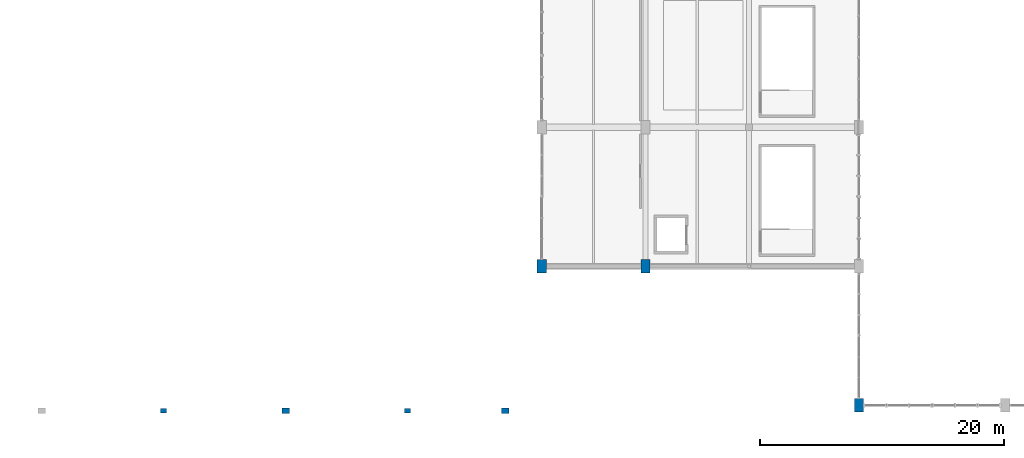
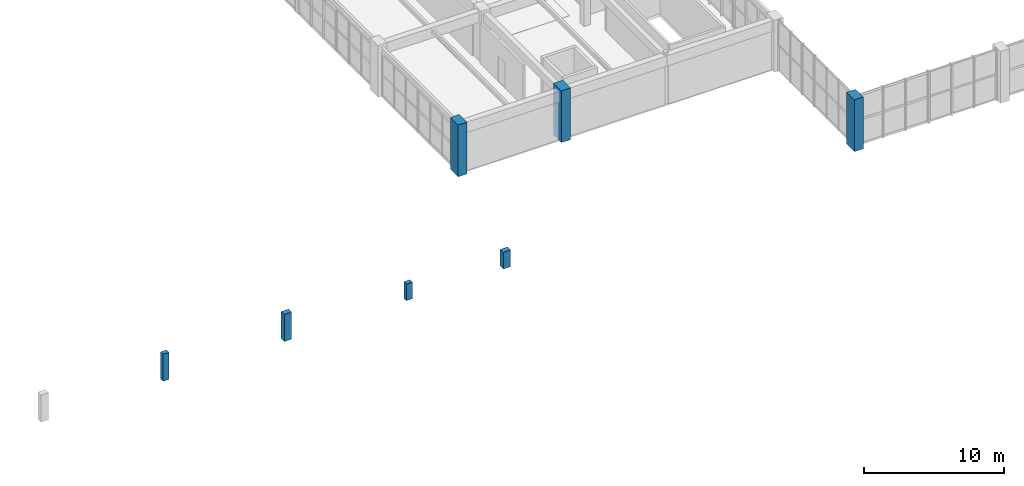
# One storey, part 5 of 80: 7 columns.
"""IFC4 building model written with IfcOpenShell, lengths in metres."""

from ifc_helpers import new_model, si_unit, direction, frame, origin, origin_2d, place, context, subcontext, project, spatial, rectangle, extrude, material, material_profile, profile_set, type_object, element, save


model = new_model("IFC4")

# Units and contexts
model_context = context("Model", 3, precision=1e-05, world=origin(), true_north=direction((0.0, 1.0)))
body_context = subcontext(model_context, "Body", "Model", "MODEL_VIEW")
ifc_project = project(units=[si_unit("LENGTHUNIT", "METRE"), si_unit("AREAUNIT", "SQUARE_METRE"), si_unit("VOLUMEUNIT", "CUBIC_METRE"), si_unit("PLANEANGLEUNIT", "RADIAN"), si_unit("MASSUNIT", "GRAM", prefix="KILO"), si_unit("POWERUNIT", "WATT"), si_unit("THERMODYNAMICTEMPERATUREUNIT", "KELVIN")], contexts=[model_context])

# Site, building, storey
site_placement = place(None, origin())
site = spatial("IfcSite", under=ifc_project, at=site_placement, CompositionType="ELEMENT")
building_placement = place(site_placement, origin())
building = spatial("IfcBuilding", under=site, at=building_placement, Name="Kelmbourne Parkland Aquatics Centre", CompositionType="ELEMENT")
storey_placement = place(building_placement, frame((0.0, 0.0, 10.199951171875)))
storey = spatial("IfcBuildingStorey", under=building, at=storey_placement, Name="L02", CompositionType="ELEMENT", Elevation=10.199951171875)

# Columns
ifc_material_1 = material(Name="Concrete C40/50", Category="concrete")
ifc_material_profile_1 = material_profile(ifc_material_1, rectangle(XDim=0.75, YDim=1.10009765625, at=origin_2d()), Name="RC 750x1100")
ifc_profile_set_1 = profile_set([ifc_material_profile_1], Name="Concrete C40/50")
column_type_1 = type_object("IfcColumnType", Name="COL-C03", PredefinedType="COLUMN", material=ifc_profile_set_1)
for number, where, z_axis, x_axis, name in (
    (1, (102.0, 12.199951171875, 0.0), (0.0, 0.0, 1.0), (1.0, 0.0, 0.0), "Structural column M-03 (L02)"),
    (2, (110.5, 12.199951171875, 0.0), (0.0, 0.0, 1.0), (1.0, 0.0, 0.0), "Structural column N-03 (L02)"),
    (3, (128.0, 0.800048828125, 0.0), (0.0, 0.0, 1.0), (1.0, 0.0, 0.0), "Structural column P-01 (L02)"),
):
    element("IfcColumn", number, at=place(storey_placement, frame(where, z_axis=z_axis, x_axis=x_axis)), inside=storey, type_object=column_type_1, Name=name, PredefinedType="COLUMN", context=body_context, shape_type="SweptSolid", body=[
        extrude(rectangle(XDim=0.75, YDim=1.10009765625, at=origin_2d()), origin(), (0.0, 0.0, 1.0), 4.5),
    ])
ifc_material_2 = material(Name="Clay brick masonry AS 3700 M12", Category="masonry")
ifc_material_profile_2 = material_profile(ifc_material_2, rectangle(XDim=0.35009765625, YDim=0.5, at=origin_2d()), Name="PIL 350x500")
ifc_profile_set_2 = profile_set([ifc_material_profile_2], Name="Clay brick masonry AS 3700 M12")
column_type_2 = type_object("IfcColumnType", Name="PIL-PL1", PredefinedType="PILASTER", material=ifc_profile_set_2)
column_1_placement = place(storey_placement, frame((71.0, 0.35009765625, 0.0), z_axis=(0.0, 0.0, 1.0), x_axis=(0.0, 1.0, 0.0)))
element("IfcColumn", 4, at=column_1_placement, inside=storey, type_object=column_type_2, Name="Amsterdam School engaged brick buttress S-027 (L02)", PredefinedType="PILASTER", context=body_context, shape_type="SweptSolid", body=[
    extrude(rectangle(XDim=0.35009765625, YDim=0.5, at=origin_2d()), origin(), (0.0, 0.0, 1.0), 2.35009765625),
])
column_2_placement = place(storey_placement, frame((91.0, 0.35009765625, 0.0), z_axis=(0.0, 0.0, 1.0), x_axis=(0.0, 1.0, 0.0)))
element("IfcColumn", 5, at=column_2_placement, inside=storey, type_object=column_type_2, Name="Amsterdam School engaged brick buttress S-029 (L02)", PredefinedType="PILASTER", context=body_context, shape_type="SweptSolid", body=[
    extrude(rectangle(XDim=0.35009765625, YDim=0.5, at=origin_2d()), origin(), (0.0, 0.0, 1.0), 1.449951171875),
])
ifc_material_profile_3 = material_profile(ifc_material_2, rectangle(XDim=0.449951171875, YDim=0.60009765625, at=origin_2d()), Name="PIL 450x600")
ifc_profile_set_3 = profile_set([ifc_material_profile_3], Name="Clay brick masonry AS 3700 M12")
column_type_3 = type_object("IfcColumnType", Name="PIL-PL2", PredefinedType="PILASTER", material=ifc_profile_set_3)
column_3_placement = place(storey_placement, frame((81.0, 0.35009765625, 0.0), z_axis=(0.0, 0.0, 1.0), x_axis=(0.0, 1.0, 0.0)))
element("IfcColumn", 6, at=column_3_placement, inside=storey, type_object=column_type_3, Name="Amsterdam School engaged brick buttress S-028 (L02)", PredefinedType="PILASTER", context=body_context, shape_type="SweptSolid", body=[
    extrude(rectangle(XDim=0.449951171875, YDim=0.60009765625, at=origin_2d()), origin(), (0.0, 0.0, 1.0), 2.35009765625),
])
column_4_placement = place(storey_placement, frame((99.0, 0.35009765625, 0.0), z_axis=(0.0, 0.0, 1.0), x_axis=(0.0, 1.0, 0.0)))
element("IfcColumn", 7, at=column_4_placement, inside=storey, type_object=column_type_3, Name="Amsterdam School engaged brick buttress S-030 (L02)", PredefinedType="PILASTER", context=body_context, shape_type="SweptSolid", body=[
    extrude(rectangle(XDim=0.449951171875, YDim=0.60009765625, at=origin_2d()), origin(), (0.0, 0.0, 1.0), 1.449951171875),
])

save(model, "model.ifc")
